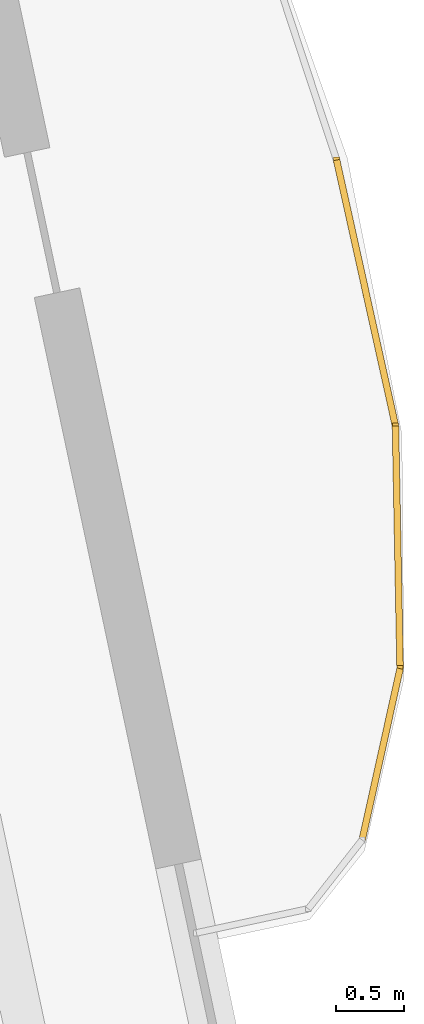
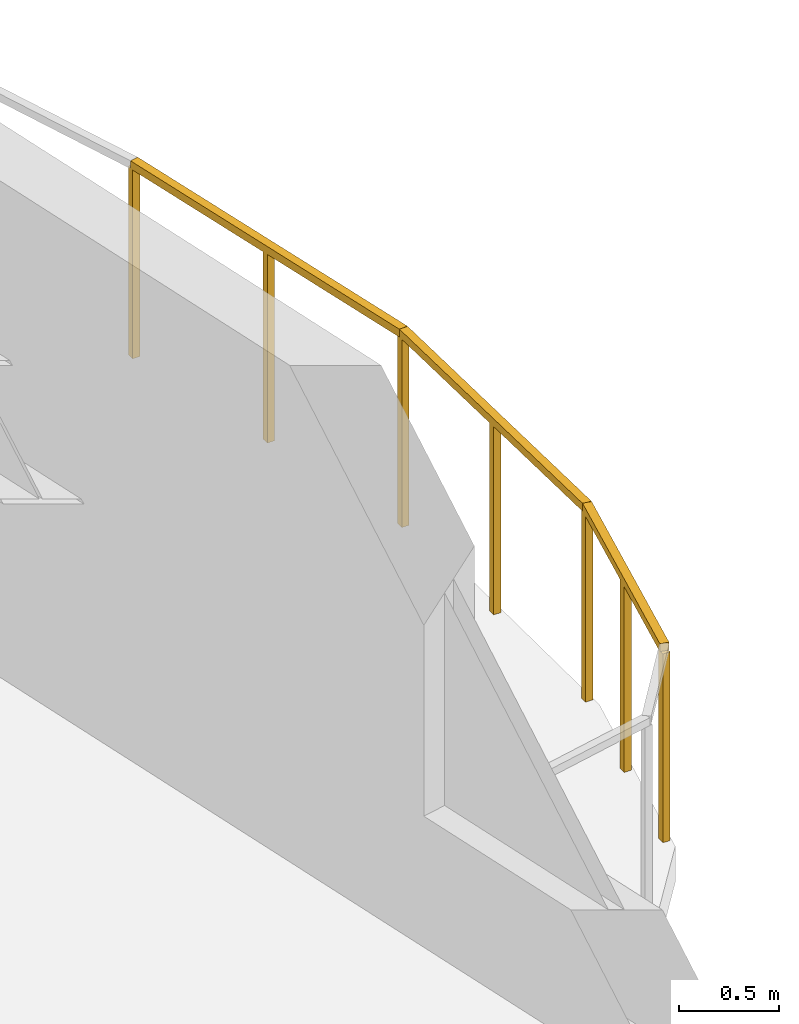
# One storey, part 16 of 16: 3 railings.
"""IFC4 building model written with IfcOpenShell, lengths in metres."""

from ifc_helpers import new_model, si_unit, direction, frame, origin, origin_2d, place, context, subcontext, project, spatial, rectangle, extrude, material, type_object, element, save


model = new_model("IFC4")

# Units and contexts
model_context = context("Model", 3, precision=1e-05, world=origin(), true_north=direction((0.0, 1.0)))
body_context = subcontext(model_context, "Body", "Model", "MODEL_VIEW")
ifc_project = project(units=[si_unit("LENGTHUNIT", "METRE"), si_unit("AREAUNIT", "SQUARE_METRE"), si_unit("VOLUMEUNIT", "CUBIC_METRE"), si_unit("PLANEANGLEUNIT", "RADIAN"), si_unit("MASSUNIT", "GRAM", prefix="KILO")], contexts=[model_context])

# Site, building, storey
site_placement = place(None, origin())
site = spatial("IfcSite", under=ifc_project, at=site_placement, CompositionType="ELEMENT")
building_placement = place(site_placement, origin())
building = spatial("IfcBuilding", under=site, at=building_placement, Name="Haevon Station Towers", CompositionType="ELEMENT")
storey_placement = place(building_placement, frame((0.0, 0.0, 53.699951171875)))
storey = spatial("IfcBuildingStorey", under=building, at=storey_placement, Name="L13", CompositionType="ELEMENT", Elevation=53.699951171875)

# Railings
ifc_material = material(Name="Steel S355", Category="steel")
railing_type = type_object("IfcRailingType", Name="GRD-EXT1200", PredefinedType="GUARDRAIL", material=ifc_material)
railing_1_placement = place(storey_placement, frame((137.462890625, 29.687255859375, 0.0)))
element("IfcRailing", 1, at=railing_1_placement, inside=storey, type_object=railing_type, Name="L13 Perimeter Guardrail 3", PredefinedType="GUARDRAIL", context=body_context, shape_type="SweptSolid", body=[
    extrude(rectangle(XDim=0.048095703125, YDim=0.048095703125, at=origin_2d()), frame((0.0, 0.0, 1.17578125), z_axis=(0.216166111274, 0.97635660101, 0.0), x_axis=(-0.97635660101, 0.216166111274, 0.0)), (0.0, 0.0, 1.0), 1.28515625),
    extrude(rectangle(XDim=0.0419921875, YDim=0.0419921875, at=origin_2d()), origin(), (0.0, 0.0, 1.0), 1.15185546875),
    extrude(rectangle(XDim=0.0419921875, YDim=0.0419921875, at=origin_2d()), frame((0.138916015625, 0.62744140625, 0.0)), (0.0, 0.0, 1.0), 1.15185546875),
    extrude(rectangle(XDim=0.0419921875, YDim=0.0419921875, at=origin_2d()), frame((0.27783203125, 1.2548828125, 0.0)), (0.0, 0.0, 1.0), 1.15185546875),
])
railing_2_placement = place(storey_placement, frame((137.74072265625, 30.942138671875, 0.0)))
element("IfcRailing", 2, at=railing_2_placement, inside=storey, type_object=railing_type, Name="L13 Perimeter Guardrail 4", PredefinedType="GUARDRAIL", context=body_context, shape_type="SweptSolid", body=[
    extrude(rectangle(XDim=0.048095703125, YDim=0.048095703125, at=origin_2d()), frame((0.0, 0.0, 1.17578125), z_axis=(-0.019089927216, 0.999817770736, 0.0), x_axis=(-0.999817770736, -0.019089927216, 0.0)), (0.0, 0.0, 1.0), 1.777587890625),
    extrude(rectangle(XDim=0.0419921875, YDim=0.0419921875, at=origin_2d()), origin(), (0.0, 0.0, 1.0), 1.15185546875),
    extrude(rectangle(XDim=0.0419921875, YDim=0.0419921875, at=origin_2d()), frame((-0.01708984375, 0.888671875, 0.0)), (0.0, 0.0, 1.0), 1.15185546875),
    extrude(rectangle(XDim=0.0419921875, YDim=0.0419921875, at=origin_2d()), frame((-0.033935546875, 1.77734375, 0.0)), (0.0, 0.0, 1.0), 1.15185546875),
])
railing_3_placement = place(storey_placement, frame((137.706787109375, 32.719482421875, 0.0)))
element("IfcRailing", 3, at=railing_3_placement, inside=storey, type_object=railing_type, Name="L13 Perimeter Guardrail 5", PredefinedType="GUARDRAIL", context=body_context, shape_type="SweptSolid", body=[
    extrude(rectangle(XDim=0.048095703125, YDim=0.048095703125, at=origin_2d()), frame((0.0, 0.0, 1.17578125), z_axis=(-0.216113608575, 0.976368223668, 0.0), x_axis=(-0.976368223668, -0.216113608575, 0.0)), (0.0, 0.0, 1.0), 1.993896484375),
    extrude(rectangle(XDim=0.0419921875, YDim=0.0419921875, at=origin_2d()), origin(), (0.0, 0.0, 1.0), 1.15185546875),
    extrude(rectangle(XDim=0.0419921875, YDim=0.0419921875, at=origin_2d()), frame((-0.21533203125, 0.973388671875, 0.0)), (0.0, 0.0, 1.0), 1.15185546875),
    extrude(rectangle(XDim=0.0419921875, YDim=0.0419921875, at=origin_2d()), frame((-0.430908203125, 1.94677734375, 0.0)), (0.0, 0.0, 1.0), 1.15185546875),
])

save(model, "model.ifc")
